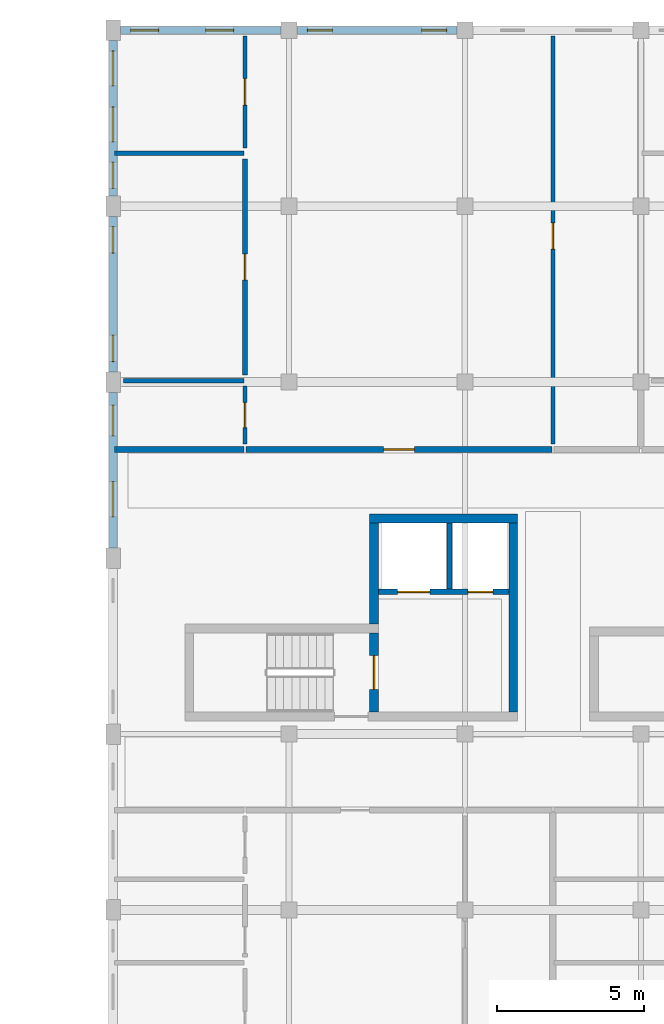
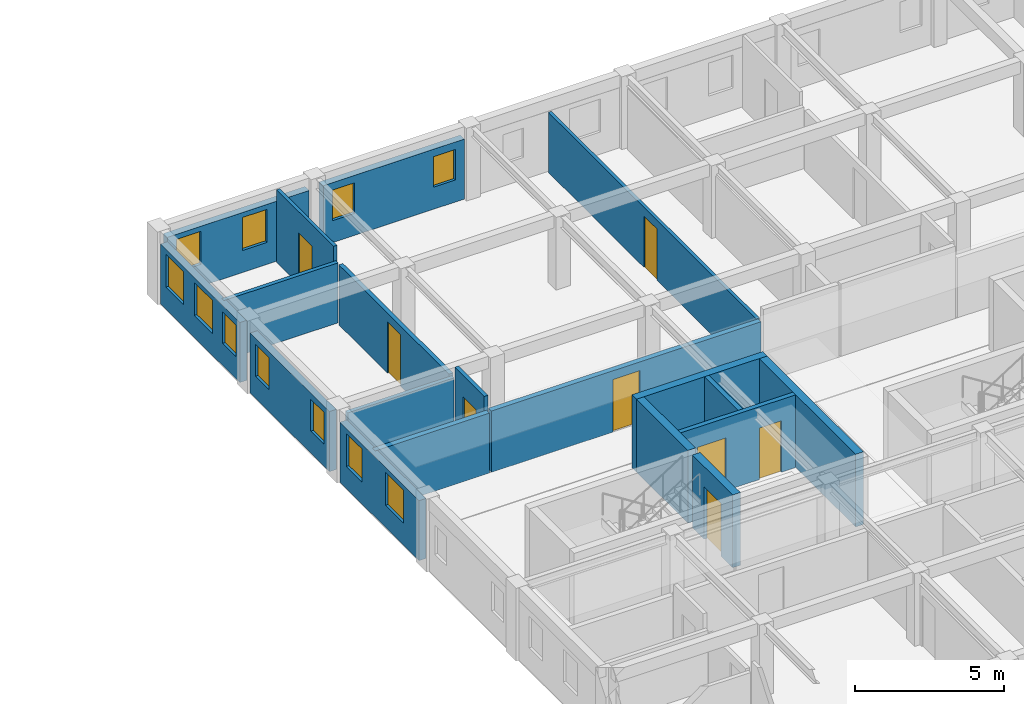
# One storey, part 35 of 58: 19 walls, 11 windows, 8 doors, 19 openings.
"""IFC4 building model written with IfcOpenShell, lengths in metres."""

from ifc_helpers import new_model, si_unit, direction, frame, frame_2d, origin, place, context, subcontext, project, spatial, rectangle, extrude, material, layer, layer_set, type_object, element, fill, save


model = new_model("IFC4")

# Units and contexts
model_context = context("Model", 3, precision=1e-05, world=origin(), true_north=direction((0.0, 1.0)))
body_context = subcontext(model_context, "Body", "Model", "MODEL_VIEW")
ifc_project = project(units=[si_unit("LENGTHUNIT", "METRE"), si_unit("AREAUNIT", "SQUARE_METRE"), si_unit("VOLUMEUNIT", "CUBIC_METRE"), si_unit("PLANEANGLEUNIT", "RADIAN"), si_unit("MASSUNIT", "GRAM", prefix="KILO"), si_unit("POWERUNIT", "WATT"), si_unit("THERMODYNAMICTEMPERATUREUNIT", "KELVIN")], contexts=[model_context])

# Site, building, storey
site_placement = place(None, origin())
site = spatial("IfcSite", under=ifc_project, at=site_placement, CompositionType="ELEMENT")
building_placement = place(site_placement, origin())
building = spatial("IfcBuilding", under=site, at=building_placement, Name="Ruvembo Vaulted Housing Court", CompositionType="ELEMENT")
storey_placement = place(building_placement, frame((0.0, 0.0, 20.5)))
storey = spatial("IfcBuildingStorey", under=building, at=storey_placement, Name="L06", CompositionType="ELEMENT", Elevation=20.5)

# Wall, opening, door
ifc_material_1 = material(Name="Concrete C35/45", Category="concrete")
ifc_layer_1 = layer(ifc_material_1, 0.300048828125, Name="Concrete C35/45")
ifc_layer_set_1 = layer_set([ifc_layer_1], Name="Concrete C35/45")
wall_type_1 = type_object("IfcWallType", Name="WL-CORE-300", PredefinedType="SHEAR", material=ifc_layer_set_1)
wall_1_placement = place(storey_placement, frame((56.89990234375, 90.75, 0.0), z_axis=(0.0, 0.0, 1.0), x_axis=(0.0, 1.0, 0.0)))
wall_1 = element("IfcWall", 1, at=wall_1_placement, inside=storey, type_object=wall_type_1, Name="Core B1 L06 Stair-Lobby Shear Wall", PredefinedType="SHEAR", context=body_context, shape_type="SweptSolid", body=[
    extrude(rectangle(XDim=2.699951171875, YDim=0.300048828125, at=frame_2d((1.35009765625, 0.0))), origin(), (0.0, 0.0, 1.0), 2.969970703125),
])
opening_1_placement = place(wall_1_placement, frame((0.77490234375, 0.0, 0.0)))
opening_1 = element("IfcOpeningElement", 2, at=opening_1_placement, cuts=wall_1, Name="Opening SD1", PredefinedType="OPENING", context=body_context, shape_type="SweptSolid", body=[
    extrude(rectangle(XDim=1.14990234375, YDim=2.14990234375, at=frame_2d((0.574951171875, 1.074951171875))), frame((0.0, 0.159912109375, 0.0), z_axis=(0.0, -1.0, 0.0), x_axis=(1.0, 0.0, 0.0)), (0.0, 0.0, 1.0), 0.320068359375),
])
ifc_material_2 = material(Name="Galvanised Painted Steel", Category="steel")
door_type_1 = type_object("IfcDoorType", Name="DR-STAIR-1150x2150", OperationType="NOTDEFINED", PredefinedType="DOOR", material=ifc_material_2)
door_1_placement = place(opening_1_placement, origin())
door_1 = element("IfcDoor", 3, at=door_1_placement, inside=storey, type_object=door_type_1, Name="Stair ST-B1 L06 Fire Door", OperationType="SINGLE_SWING_LEFT", OverallHeight=2.14990234375, OverallWidth=1.14990234375, PredefinedType="DOOR", context=body_context, shape_type="SweptSolid", body=[
    extrude(rectangle(XDim=1.14990234375, YDim=2.14990234375, at=frame_2d((0.574951171875, 1.074951171875))), frame((0.0, 0.02490234375, 0.0), z_axis=(0.0, -1.0, 0.0), x_axis=(1.0, 0.0, 0.0)), (0.0, 0.0, 1.0), 0.050048828125),
])
fill(opening_1, door_1)

# Walls
wall_2_placement = place(storey_placement, frame((61.800048828125, 97.35009765625, 0.0), z_axis=(0.0, 0.0, 1.0), x_axis=(-1.0, 0.0, 0.0)))
element("IfcWall", 4, at=wall_2_placement, inside=storey, type_object=wall_type_1, Name="Core B1 L06 North Shear Wall", PredefinedType="SHEAR", context=body_context, shape_type="SweptSolid", body=[
    extrude(rectangle(XDim=5.050048828125, YDim=0.300048828125, at=frame_2d((2.52490234375, 0.0))), origin(), (0.0, 0.0, 1.0), 2.969970703125),
])
wall_3_placement = place(storey_placement, frame((61.64990234375, 90.75, 0.0), z_axis=(0.0, 0.0, 1.0), x_axis=(0.0, 1.0, 0.0)))
element("IfcWall", 5, at=wall_3_placement, inside=storey, type_object=wall_type_1, Name="Core B1 L06 East Shear Wall", PredefinedType="SHEAR", context=body_context, shape_type="SweptSolid", body=[
    extrude(rectangle(XDim=6.449951171875, YDim=0.300048828125, at=frame_2d((3.22509765625, 0.0))), origin(), (0.0, 0.0, 1.0), 2.969970703125),
])
wall_4_placement = place(storey_placement, frame((56.89990234375, 93.75, 0.0), z_axis=(0.0, 0.0, 1.0), x_axis=(0.0, 1.0, 0.0)))
element("IfcWall", 6, at=wall_4_placement, inside=storey, type_object=wall_type_1, Name="Core B1 L06 Upper West Shear Wall", PredefinedType="SHEAR", context=body_context, shape_type="SweptSolid", body=[
    extrude(rectangle(XDim=3.449951171875, YDim=0.300048828125, at=frame_2d((1.72509765625, 0.0))), origin(), (0.0, 0.0, 1.0), 2.969970703125),
])
ifc_material_3 = material(Name="Concrete Blockwork 200", Category="masonry")
ifc_layer_2 = layer(ifc_material_3, 0.199951171875, Name="Concrete Blockwork 200")
ifc_layer_set_2 = layer_set([ifc_layer_2], Name="Concrete Blockwork 200")
wall_type_2 = type_object("IfcWallType", Name="WL-CORR-200", PredefinedType="SOLIDWALL", material=ifc_layer_set_2)
wall_5_placement = place(storey_placement, frame((48.0400390625, 99.699951171875, 0.0), z_axis=(0.0, 0.0, 1.0), x_axis=(1.0, 0.0, 0.0)))
element("IfcWall", 7, at=wall_5_placement, inside=storey, type_object=wall_type_2, Name="L06 Flat B-L06-N1 Corridor Wall WL-INT-L06-01760", PredefinedType="SOLIDWALL", context=body_context, shape_type="SweptSolid", body=[
    extrude(rectangle(XDim=4.419921875, YDim=0.199951171875, at=frame_2d((2.2099609375, 0.0))), origin(), (0.0, 0.0, 1.0), 2.451904296875),
])

# Wall, opening, door
wall_6_placement = place(storey_placement, frame((52.5400390625, 99.699951171875, 0.0), z_axis=(0.0, 0.0, 1.0), x_axis=(1.0, 0.0, 0.0)))
wall_6 = element("IfcWall", 8, at=wall_6_placement, inside=storey, type_object=wall_type_2, Name="L06 Flat B-L06-N1 Entrance WL-INT-L06-01761", PredefinedType="SOLIDWALL", context=body_context, shape_type="SweptSolid", body=[
    extrude(rectangle(XDim=10.419921875, YDim=0.199951171875, at=frame_2d((5.2099609375, 0.0))), origin(), (0.0, 0.0, 1.0), 2.508056640625),
])
opening_2_placement = place(wall_6_placement, frame((4.68505859375, 0.0, 0.0)))
opening_2 = element("IfcOpeningElement", 9, at=opening_2_placement, cuts=wall_6, Name="Opening FD3", PredefinedType="OPENING", context=body_context, shape_type="SweptSolid", body=[
    extrude(rectangle(XDim=1.050048828125, YDim=2.14990234375, at=frame_2d((0.52490234375, 1.074951171875))), frame((0.0, 0.10986328125, 0.0), z_axis=(0.0, -1.0, 0.0), x_axis=(1.0, 0.0, 0.0)), (0.0, 0.0, 1.0), 0.219970703125),
])
ifc_material_4 = material(Name="FSC Hardwood and Engineered Timber", Category="wood")
door_type_2 = type_object("IfcDoorType", Name="DR-FLAT-1050x2150", OperationType="NOTDEFINED", PredefinedType="DOOR", material=ifc_material_4)
door_2_placement = place(opening_2_placement, origin())
door_2 = element("IfcDoor", 10, at=door_2_placement, inside=storey, type_object=door_type_2, Name="L06 Flat B-L06-N1 Entrance Door DR-INT-L06-00995", OperationType="SINGLE_SWING_LEFT", OverallHeight=2.14990234375, OverallWidth=1.050048828125, PredefinedType="DOOR", context=body_context, shape_type="SweptSolid", body=[
    extrude(rectangle(XDim=1.050048828125, YDim=2.14990234375, at=frame_2d((0.52490234375, 1.074951171875))), frame((0.0, 0.02490234375, 0.0), z_axis=(0.0, -1.0, 0.0), x_axis=(1.0, 0.0, 0.0)), (0.0, 0.0, 1.0), 0.050048828125),
])
fill(opening_2, door_2)

# Wall, openings, windows
ifc_material_5 = material(Name="Rendered Masonry 270", Category="masonry")
ifc_layer_3 = layer(ifc_material_5, 0.27001953125, Name="Rendered Masonry 270")
ifc_layer_set_3 = layer_set([ifc_layer_3], Name="Rendered Masonry 270")
wall_type_3 = type_object("IfcWallType", Name="WL-EXT-270", PredefinedType="STANDARD", material=ifc_layer_set_3)
wall_7_placement = place(storey_placement, frame((59.72509765625, 114.0, 0.0), z_axis=(0.0, 0.0, 1.0), x_axis=(-1.0, 0.0, 0.0)))
wall_7 = element("IfcWall", 11, at=wall_7_placement, inside=storey, type_object=wall_type_3, Name="Block B L06 Exterior Wall STREET #5", PredefinedType="STANDARD", context=body_context, shape_type="SweptSolid", body=[
    extrude(rectangle(XDim=5.4501953125, YDim=0.27001953125, at=frame_2d((2.72509765625, 0.0))), origin(), (0.0, 0.0, 1.0), 2.451904296875),
])
opening_3_placement = place(wall_7_placement, frame((0.35009765625, 0.0, 0.89990234375)))
opening_3 = element("IfcOpeningElement", 12, at=opening_3_placement, cuts=wall_7, Name="Opening W03", PredefinedType="OPENING", context=body_context, shape_type="SweptSolid", body=[
    extrude(rectangle(XDim=0.85009765625, YDim=1.25, at=frame_2d((0.425048828125, 0.625))), frame((0.0, 0.14501953125, 0.0), z_axis=(0.0, -1.0, 0.0), x_axis=(1.0, 0.0, 0.0)), (0.0, 0.0, 1.0), 0.2900390625),
])
opening_4_placement = place(wall_7_placement, frame((4.25, 0.0, 0.89990234375)))
opening_4 = element("IfcOpeningElement", 13, at=opening_4_placement, cuts=wall_7, Name="Opening W03", PredefinedType="OPENING", context=body_context, shape_type="SweptSolid", body=[
    extrude(rectangle(XDim=0.85009765625, YDim=1.25, at=frame_2d((0.425048828125, 0.625))), frame((0.0, 0.14501953125, 0.0), z_axis=(0.0, -1.0, 0.0), x_axis=(1.0, 0.0, 0.0)), (0.0, 0.0, 1.0), 0.2900390625),
])
ifc_material_6 = material(Name="Double Solar-Control Glazing in Aluminium Frame", Category="aluminium")
window_type_1 = type_object("IfcWindowType", Name="WIN-0850x1250", PartitioningType="SINGLE_PANEL", PredefinedType="WINDOW", material=ifc_material_6)
window_1_placement = place(opening_3_placement, origin())
window_1 = element("IfcWindow", 14, at=window_1_placement, inside=storey, type_object=window_type_1, Name="Block B L06 Window #889", OverallHeight=1.25, OverallWidth=0.85009765625, PartitioningType="SINGLE_PANEL", PredefinedType="WINDOW", context=body_context, shape_type="SweptSolid", body=[
    extrude(rectangle(XDim=0.85009765625, YDim=1.25, at=frame_2d((0.425048828125, 0.625))), frame((0.0, 0.030029296875, 0.0), z_axis=(0.0, -1.0, 0.0), x_axis=(1.0, 0.0, 0.0)), (0.0, 0.0, 1.0), 0.06005859375),
])
fill(opening_3, window_1)
window_2_placement = place(opening_4_placement, origin())
window_2 = element("IfcWindow", 15, at=window_2_placement, inside=storey, type_object=window_type_1, Name="Block B L06 Window #890", OverallHeight=1.25, OverallWidth=0.85009765625, PartitioningType="SINGLE_PANEL", PredefinedType="WINDOW", context=body_context, shape_type="SweptSolid", body=[
    extrude(rectangle(XDim=0.85009765625, YDim=1.25, at=frame_2d((0.425048828125, 0.625))), frame((0.0, 0.030029296875, 0.0), z_axis=(0.0, -1.0, 0.0), x_axis=(1.0, 0.0, 0.0)), (0.0, 0.0, 1.0), 0.06005859375),
])
fill(opening_4, window_2)

wall_8_placement = place(storey_placement, frame((53.72509765625, 114.0, 0.0), z_axis=(0.0, 0.0, 1.0), x_axis=(-1.0, 0.0, 0.0)))
wall_8 = element("IfcWall", 16, at=wall_8_placement, inside=storey, type_object=wall_type_3, Name="Block B L06 Exterior Wall STREET #6", PredefinedType="STANDARD", context=body_context, shape_type="SweptSolid", body=[
    extrude(rectangle(XDim=5.47509765625, YDim=0.27001953125, at=frame_2d((2.737548828125, 0.0))), origin(), (0.0, 0.0, 1.0), 2.451904296875),
])
opening_5_placement = place(wall_8_placement, frame((1.614990234375, 0.0, 0.89990234375)))
opening_5 = element("IfcOpeningElement", 17, at=opening_5_placement, cuts=wall_8, Name="Opening W07", PredefinedType="OPENING", context=body_context, shape_type="SweptSolid", body=[
    extrude(rectangle(XDim=0.949951171875, YDim=1.35009765625, at=frame_2d((0.47509765625, 0.675048828125))), frame((0.0, 0.14501953125, 0.0), z_axis=(0.0, -1.0, 0.0), x_axis=(1.0, 0.0, 0.0)), (0.0, 0.0, 1.0), 0.2900390625),
])
opening_6_placement = place(wall_8_placement, frame((4.175048828125, 0.0, 0.89990234375)))
opening_6 = element("IfcOpeningElement", 18, at=opening_6_placement, cuts=wall_8, Name="Opening W07", PredefinedType="OPENING", context=body_context, shape_type="SweptSolid", body=[
    extrude(rectangle(XDim=0.949951171875, YDim=1.35009765625, at=frame_2d((0.47509765625, 0.675048828125))), frame((0.0, 0.14501953125, 0.0), z_axis=(0.0, -1.0, 0.0), x_axis=(1.0, 0.0, 0.0)), (0.0, 0.0, 1.0), 0.2900390625),
])
window_type_2 = type_object("IfcWindowType", Name="WIN-0950x1350", PartitioningType="SINGLE_PANEL", PredefinedType="WINDOW", material=ifc_material_6)
window_3_placement = place(opening_5_placement, origin())
window_3 = element("IfcWindow", 19, at=window_3_placement, inside=storey, type_object=window_type_2, Name="Block B L06 Window #891", OverallHeight=1.35009765625, OverallWidth=0.949951171875, PartitioningType="SINGLE_PANEL", PredefinedType="WINDOW", context=body_context, shape_type="SweptSolid", body=[
    extrude(rectangle(XDim=0.949951171875, YDim=1.35009765625, at=frame_2d((0.47509765625, 0.675048828125))), frame((0.0, 0.030029296875, 0.0), z_axis=(0.0, -1.0, 0.0), x_axis=(1.0, 0.0, 0.0)), (0.0, 0.0, 1.0), 0.06005859375),
])
fill(opening_5, window_3)
window_4_placement = place(opening_6_placement, origin())
window_4 = element("IfcWindow", 20, at=window_4_placement, inside=storey, type_object=window_type_2, Name="Block B L06 Window #892", OverallHeight=1.35009765625, OverallWidth=0.949951171875, PartitioningType="SINGLE_PANEL", PredefinedType="WINDOW", context=body_context, shape_type="SweptSolid", body=[
    extrude(rectangle(XDim=0.949951171875, YDim=1.35009765625, at=frame_2d((0.47509765625, 0.675048828125))), frame((0.0, 0.030029296875, 0.0), z_axis=(0.0, -1.0, 0.0), x_axis=(1.0, 0.0, 0.0)), (0.0, 0.0, 1.0), 0.06005859375),
])
fill(opening_6, window_4)

wall_9_placement = place(storey_placement, frame((48.0, 113.64990234375, 0.0), z_axis=(0.0, 0.0, 1.0), x_axis=(0.0, -1.0, 0.0)))
wall_9 = element("IfcWall", 21, at=wall_9_placement, inside=storey, type_object=wall_type_3, Name="Block B L06 Exterior Wall WEST #1", PredefinedType="STANDARD", context=body_context, shape_type="SweptSolid", body=[
    extrude(rectangle(XDim=5.2998046875, YDim=0.27001953125, at=frame_2d((2.64990234375, 0.0))), origin(), (0.0, 0.0, 1.0), 2.451904296875),
])
opening_7_placement = place(wall_9_placement, frame((0.35009765625, 0.0, 0.89990234375)))
opening_7 = element("IfcOpeningElement", 22, at=opening_7_placement, cuts=wall_9, Name="Opening W12", PredefinedType="OPENING", context=body_context, shape_type="SweptSolid", body=[
    extrude(rectangle(XDim=1.199951171875, YDim=1.35009765625, at=frame_2d((0.60009765625, 0.675048828125))), frame((0.0, 0.14501953125, 0.0), z_axis=(0.0, -1.0, 0.0), x_axis=(1.0, 0.0, 0.0)), (0.0, 0.0, 1.0), 0.2900390625),
])
opening_8_placement = place(wall_9_placement, frame((2.260009765625, 0.0, 0.89990234375)))
opening_8 = element("IfcOpeningElement", 23, at=opening_8_placement, cuts=wall_9, Name="Opening W12", PredefinedType="OPENING", context=body_context, shape_type="SweptSolid", body=[
    extrude(rectangle(XDim=1.199951171875, YDim=1.35009765625, at=frame_2d((0.60009765625, 0.675048828125))), frame((0.0, 0.14501953125, 0.0), z_axis=(0.0, -1.0, 0.0), x_axis=(1.0, 0.0, 0.0)), (0.0, 0.0, 1.0), 0.2900390625),
])
opening_9_placement = place(wall_9_placement, frame((4.14501953125, 0.0, 0.89990234375)))
opening_9 = element("IfcOpeningElement", 24, at=opening_9_placement, cuts=wall_9, Name="Opening W04", PredefinedType="OPENING", context=body_context, shape_type="SweptSolid", body=[
    extrude(rectangle(XDim=0.89990234375, YDim=1.300048828125, at=frame_2d((0.449951171875, 0.64990234375))), frame((0.0, 0.14501953125, 0.0), z_axis=(0.0, -1.0, 0.0), x_axis=(1.0, 0.0, 0.0)), (0.0, 0.0, 1.0), 0.2900390625),
])
window_type_3 = type_object("IfcWindowType", Name="WIN-0900x1300", PartitioningType="SINGLE_PANEL", PredefinedType="WINDOW", material=ifc_material_6)
window_5_placement = place(opening_9_placement, origin())
window_5 = element("IfcWindow", 25, at=window_5_placement, inside=storey, type_object=window_type_3, Name="Block B L06 Window #895", OverallHeight=1.300048828125, OverallWidth=0.89990234375, PartitioningType="SINGLE_PANEL", PredefinedType="WINDOW", context=body_context, shape_type="SweptSolid", body=[
    extrude(rectangle(XDim=0.89990234375, YDim=1.300048828125, at=frame_2d((0.449951171875, 0.64990234375))), frame((0.0, 0.030029296875, 0.0), z_axis=(0.0, -1.0, 0.0), x_axis=(1.0, 0.0, 0.0)), (0.0, 0.0, 1.0), 0.06005859375),
])
fill(opening_9, window_5)
window_type_4 = type_object("IfcWindowType", Name="WIN-1200x1350", PartitioningType="SINGLE_PANEL", PredefinedType="WINDOW", material=ifc_material_6)
window_6_placement = place(opening_7_placement, origin())
window_6 = element("IfcWindow", 26, at=window_6_placement, inside=storey, type_object=window_type_4, Name="Block B L06 Window #893", OverallHeight=1.35009765625, OverallWidth=1.199951171875, PartitioningType="SINGLE_PANEL", PredefinedType="WINDOW", context=body_context, shape_type="SweptSolid", body=[
    extrude(rectangle(XDim=1.199951171875, YDim=1.35009765625, at=frame_2d((0.60009765625, 0.675048828125))), frame((0.0, 0.030029296875, 0.0), z_axis=(0.0, -1.0, 0.0), x_axis=(1.0, 0.0, 0.0)), (0.0, 0.0, 1.0), 0.06005859375),
])
fill(opening_7, window_6)
window_7_placement = place(opening_8_placement, origin())
window_7 = element("IfcWindow", 27, at=window_7_placement, inside=storey, type_object=window_type_4, Name="Block B L06 Window #894", OverallHeight=1.35009765625, OverallWidth=1.199951171875, PartitioningType="SINGLE_PANEL", PredefinedType="WINDOW", context=body_context, shape_type="SweptSolid", body=[
    extrude(rectangle(XDim=1.199951171875, YDim=1.35009765625, at=frame_2d((0.60009765625, 0.675048828125))), frame((0.0, 0.030029296875, 0.0), z_axis=(0.0, -1.0, 0.0), x_axis=(1.0, 0.0, 0.0)), (0.0, 0.0, 1.0), 0.06005859375),
])
fill(opening_8, window_7)

wall_10_placement = place(storey_placement, frame((48.0, 107.64990234375, 0.0), z_axis=(0.0, 0.0, 1.0), x_axis=(0.0, -1.0, 0.0)))
wall_10 = element("IfcWall", 28, at=wall_10_placement, inside=storey, type_object=wall_type_3, Name="Block B L06 Exterior Wall WEST #2", PredefinedType="STANDARD", context=body_context, shape_type="SweptSolid", body=[
    extrude(rectangle(XDim=5.2998046875, YDim=0.27001953125, at=frame_2d((2.64990234375, 0.0))), origin(), (0.0, 0.0, 1.0), 2.451904296875),
])
opening_10_placement = place(wall_10_placement, frame((0.35009765625, 0.0, 0.89990234375)))
opening_10 = element("IfcOpeningElement", 29, at=opening_10_placement, cuts=wall_10, Name="Opening W04", PredefinedType="OPENING", context=body_context, shape_type="SweptSolid", body=[
    extrude(rectangle(XDim=0.89990234375, YDim=1.300048828125, at=frame_2d((0.449951171875, 0.64990234375))), frame((0.0, 0.14501953125, 0.0), z_axis=(0.0, -1.0, 0.0), x_axis=(1.0, 0.0, 0.0)), (0.0, 0.0, 1.0), 0.2900390625),
])
opening_11_placement = place(wall_10_placement, frame((4.050048828125, 0.0, 0.89990234375)))
opening_11 = element("IfcOpeningElement", 30, at=opening_11_placement, cuts=wall_10, Name="Opening W04", PredefinedType="OPENING", context=body_context, shape_type="SweptSolid", body=[
    extrude(rectangle(XDim=0.89990234375, YDim=1.300048828125, at=frame_2d((0.449951171875, 0.64990234375))), frame((0.0, 0.14501953125, 0.0), z_axis=(0.0, -1.0, 0.0), x_axis=(1.0, 0.0, 0.0)), (0.0, 0.0, 1.0), 0.2900390625),
])
window_8_placement = place(opening_10_placement, origin())
window_8 = element("IfcWindow", 31, at=window_8_placement, inside=storey, type_object=window_type_3, Name="Block B L06 Window #896", OverallHeight=1.300048828125, OverallWidth=0.89990234375, PartitioningType="SINGLE_PANEL", PredefinedType="WINDOW", context=body_context, shape_type="SweptSolid", body=[
    extrude(rectangle(XDim=0.89990234375, YDim=1.300048828125, at=frame_2d((0.449951171875, 0.64990234375))), frame((0.0, 0.030029296875, 0.0), z_axis=(0.0, -1.0, 0.0), x_axis=(1.0, 0.0, 0.0)), (0.0, 0.0, 1.0), 0.06005859375),
])
fill(opening_10, window_8)
window_9_placement = place(opening_11_placement, origin())
window_9 = element("IfcWindow", 32, at=window_9_placement, inside=storey, type_object=window_type_3, Name="Block B L06 Window #897", OverallHeight=1.300048828125, OverallWidth=0.89990234375, PartitioningType="SINGLE_PANEL", PredefinedType="WINDOW", context=body_context, shape_type="SweptSolid", body=[
    extrude(rectangle(XDim=0.89990234375, YDim=1.300048828125, at=frame_2d((0.449951171875, 0.64990234375))), frame((0.0, 0.030029296875, 0.0), z_axis=(0.0, -1.0, 0.0), x_axis=(1.0, 0.0, 0.0)), (0.0, 0.0, 1.0), 0.06005859375),
])
fill(opening_11, window_9)

wall_11_placement = place(storey_placement, frame((48.0, 101.64990234375, 0.0), z_axis=(0.0, 0.0, 1.0), x_axis=(0.0, -1.0, 0.0)))
wall_11 = element("IfcWall", 33, at=wall_11_placement, inside=storey, type_object=wall_type_3, Name="Block B L06 Exterior Wall WEST #3", PredefinedType="STANDARD", context=body_context, shape_type="SweptSolid", body=[
    extrude(rectangle(XDim=5.2998046875, YDim=0.27001953125, at=frame_2d((2.64990234375, 0.0))), origin(), (0.0, 0.0, 1.0), 2.451904296875),
])
opening_12_placement = place(wall_11_placement, frame((0.429931640625, 0.0, 0.89990234375)))
opening_12 = element("IfcOpeningElement", 34, at=opening_12_placement, cuts=wall_11, Name="Opening W09", PredefinedType="OPENING", context=body_context, shape_type="SweptSolid", body=[
    extrude(rectangle(XDim=1.050048828125, YDim=1.35009765625, at=frame_2d((0.52490234375, 0.675048828125))), frame((0.0, 0.14501953125, 0.0), z_axis=(0.0, -1.0, 0.0), x_axis=(1.0, 0.0, 0.0)), (0.0, 0.0, 1.0), 0.2900390625),
])
opening_13_placement = place(wall_11_placement, frame((3.044921875, 0.0, 0.89990234375)))
opening_13 = element("IfcOpeningElement", 35, at=opening_13_placement, cuts=wall_11, Name="Opening W12", PredefinedType="OPENING", context=body_context, shape_type="SweptSolid", body=[
    extrude(rectangle(XDim=1.199951171875, YDim=1.35009765625, at=frame_2d((0.60009765625, 0.675048828125))), frame((0.0, 0.14501953125, 0.0), z_axis=(0.0, -1.0, 0.0), x_axis=(1.0, 0.0, 0.0)), (0.0, 0.0, 1.0), 0.2900390625),
])
window_type_5 = type_object("IfcWindowType", Name="WIN-1050x1350", PartitioningType="SINGLE_PANEL", PredefinedType="WINDOW", material=ifc_material_6)
window_10_placement = place(opening_12_placement, origin())
window_10 = element("IfcWindow", 36, at=window_10_placement, inside=storey, type_object=window_type_5, Name="Block B L06 Window #898", OverallHeight=1.35009765625, OverallWidth=1.050048828125, PartitioningType="SINGLE_PANEL", PredefinedType="WINDOW", context=body_context, shape_type="SweptSolid", body=[
    extrude(rectangle(XDim=1.050048828125, YDim=1.35009765625, at=frame_2d((0.52490234375, 0.675048828125))), frame((0.0, 0.030029296875, 0.0), z_axis=(0.0, -1.0, 0.0), x_axis=(1.0, 0.0, 0.0)), (0.0, 0.0, 1.0), 0.06005859375),
])
fill(opening_12, window_10)
window_11_placement = place(opening_13_placement, origin())
window_11 = element("IfcWindow", 37, at=window_11_placement, inside=storey, type_object=window_type_4, Name="Block B L06 Window #899", OverallHeight=1.35009765625, OverallWidth=1.199951171875, PartitioningType="SINGLE_PANEL", PredefinedType="WINDOW", context=body_context, shape_type="SweptSolid", body=[
    extrude(rectangle(XDim=1.199951171875, YDim=1.35009765625, at=frame_2d((0.60009765625, 0.675048828125))), frame((0.0, 0.030029296875, 0.0), z_axis=(0.0, -1.0, 0.0), x_axis=(1.0, 0.0, 0.0)), (0.0, 0.0, 1.0), 0.06005859375),
])
fill(opening_13, window_11)

# Wall, opening, door
ifc_material_7 = material(Name="Plasterboard Stud Partition 125", Category="gypsum")
ifc_layer_4 = layer(ifc_material_7, 0.125, Name="Plasterboard Stud Partition 125")
ifc_layer_set_4 = layer_set([ifc_layer_4], Name="Plasterboard Stud Partition 125")
wall_type_4 = type_object("IfcWallType", Name="WL-PART-125", PredefinedType="PARTITIONING", material=ifc_layer_set_4)
wall_12_placement = place(storey_placement, frame((52.5, 109.989990234375, 0.0), z_axis=(0.0, 0.0, 1.0), x_axis=(0.0, 1.0, 0.0)))
wall_12 = element("IfcWall", 38, at=wall_12_placement, inside=storey, type_object=wall_type_4, Name="L06 Flat B-L06-N1 Bedroom 1 WL-INT-L06-01762", PredefinedType="PARTITIONING", context=body_context, shape_type="SweptSolid", body=[
    extrude(rectangle(XDim=3.820068359375, YDim=0.125, at=frame_2d((1.91015625, 0.0))), origin(), (0.0, 0.0, 1.0), 2.969970703125),
])
opening_14_placement = place(wall_12_placement, frame((1.4599609375, 0.0, 0.0)))
opening_14 = element("IfcOpeningElement", 39, at=opening_14_placement, cuts=wall_12, Name="Opening ID1", PredefinedType="OPENING", context=body_context, shape_type="SweptSolid", body=[
    extrude(rectangle(XDim=0.89990234375, YDim=2.10009765625, at=frame_2d((0.449951171875, 1.050048828125))), frame((0.0, 0.072509765625, 0.0), z_axis=(0.0, -1.0, 0.0), x_axis=(1.0, 0.0, 0.0)), (0.0, 0.0, 1.0), 0.14501953125),
])
door_type_3 = type_object("IfcDoorType", Name="DR-ROOM-0900x2100", OperationType="NOTDEFINED", PredefinedType="DOOR", material=ifc_material_4)
door_3_placement = place(opening_14_placement, origin())
door_3 = element("IfcDoor", 40, at=door_3_placement, inside=storey, type_object=door_type_3, Name="L06 Flat B-L06-N1 Bedroom 1 Door DR-INT-L06-00996", OperationType="SINGLE_SWING_RIGHT", OverallHeight=2.10009765625, OverallWidth=0.89990234375, PredefinedType="DOOR", context=body_context, shape_type="SweptSolid", body=[
    extrude(rectangle(XDim=0.89990234375, YDim=2.10009765625, at=frame_2d((0.449951171875, 1.050048828125))), frame((0.0, 0.02490234375, 0.0), z_axis=(0.0, -1.0, 0.0), x_axis=(1.0, 0.0, 0.0)), (0.0, 0.0, 1.0), 0.050048828125),
])
fill(opening_14, door_3)

wall_13_placement = place(storey_placement, frame((63.0, 99.889892578125, 0.0), z_axis=(0.0, 0.0, 1.0), x_axis=(0.0, 1.0, 0.0)))
wall_13 = element("IfcWall", 41, at=wall_13_placement, inside=storey, type_object=wall_type_4, Name="L06 Flat B-L06-N1 Bedroom 2 WL-INT-L06-01768", PredefinedType="PARTITIONING", context=body_context, shape_type="SweptSolid", body=[
    extrude(rectangle(XDim=13.920166015625, YDim=0.125, at=frame_2d((6.9599609375, 0.0))), origin(), (0.0, 0.0, 1.0), 2.451904296875),
])
opening_15_placement = place(wall_13_placement, frame((6.64990234375, 0.0, 0.0)))
opening_15 = element("IfcOpeningElement", 42, at=opening_15_placement, cuts=wall_13, Name="Opening ID3", PredefinedType="OPENING", context=body_context, shape_type="SweptSolid", body=[
    extrude(rectangle(XDim=0.8798828125, YDim=2.10009765625, at=frame_2d((0.43994140625, 1.050048828125))), frame((0.0, 0.072509765625, 0.0), z_axis=(0.0, -1.0, 0.0), x_axis=(1.0, 0.0, 0.0)), (0.0, 0.0, 1.0), 0.14501953125),
])
door_type_4 = type_object("IfcDoorType", Name="DR-ROOM-0880x2100", OperationType="NOTDEFINED", PredefinedType="DOOR", material=ifc_material_4)
door_4_placement = place(opening_15_placement, origin())
door_4 = element("IfcDoor", 43, at=door_4_placement, inside=storey, type_object=door_type_4, Name="L06 Flat B-L06-N1 Bedroom 2 Door DR-INT-L06-00999", OperationType="SINGLE_SWING_LEFT", OverallHeight=2.10009765625, OverallWidth=0.8798828125, PredefinedType="DOOR", context=body_context, shape_type="SweptSolid", body=[
    extrude(rectangle(XDim=0.8798828125, YDim=2.10009765625, at=frame_2d((0.43994140625, 1.050048828125))), frame((0.0, 0.02490234375, 0.0), z_axis=(0.0, -1.0, 0.0), x_axis=(1.0, 0.0, 0.0)), (0.0, 0.0, 1.0), 0.050048828125),
])
fill(opening_15, door_4)

ifc_material_8 = material(Name="Moisture-Resistant Wet Partition 150", Category="gypsum")
ifc_layer_5 = layer(ifc_material_8, 0.14990234375, Name="Moisture-Resistant Wet Partition 150")
ifc_layer_set_5 = layer_set([ifc_layer_5], Name="Moisture-Resistant Wet Partition 150")
wall_type_5 = type_object("IfcWallType", Name="WL-PART-150", PredefinedType="PARTITIONING", material=ifc_layer_set_5)
wall_14_placement = place(storey_placement, frame((52.5, 99.889892578125, 0.0), z_axis=(0.0, 0.0, 1.0), x_axis=(0.0, 1.0, 0.0)))
wall_14 = element("IfcWall", 44, at=wall_14_placement, inside=storey, type_object=wall_type_5, Name="L06 Flat B-L06-N1 Bathroom WL-INT-L06-01764", PredefinedType="PARTITIONING", context=body_context, shape_type="SweptSolid", body=[
    extrude(rectangle(XDim=1.97021484375, YDim=0.14990234375, at=frame_2d((0.985107421875, 0.0))), origin(), (0.0, 0.0, 1.0), 2.969970703125),
])
opening_16_placement = place(wall_14_placement, frame((0.56005859375, 0.0, 0.0)))
opening_16 = element("IfcOpeningElement", 45, at=opening_16_placement, cuts=wall_14, Name="Opening ID2", PredefinedType="OPENING", context=body_context, shape_type="SweptSolid", body=[
    extrude(rectangle(XDim=0.85009765625, YDim=2.10009765625, at=frame_2d((0.425048828125, 1.050048828125))), frame((0.0, 0.0849609375, 0.0), z_axis=(0.0, -1.0, 0.0), x_axis=(1.0, 0.0, 0.0)), (0.0, 0.0, 1.0), 0.169921875),
])
door_type_5 = type_object("IfcDoorType", Name="DR-WET-0850x2100", OperationType="NOTDEFINED", PredefinedType="DOOR", material=ifc_material_4)
door_5_placement = place(opening_16_placement, origin())
door_5 = element("IfcDoor", 46, at=door_5_placement, inside=storey, type_object=door_type_5, Name="L06 Flat B-L06-N1 Bathroom Door DR-INT-L06-00998", OperationType="SINGLE_SWING_RIGHT", OverallHeight=2.10009765625, OverallWidth=0.85009765625, PredefinedType="DOOR", context=body_context, shape_type="SweptSolid", body=[
    extrude(rectangle(XDim=0.85009765625, YDim=2.10009765625, at=frame_2d((0.425048828125, 1.050048828125))), frame((0.0, 0.02490234375, 0.0), z_axis=(0.0, -1.0, 0.0), x_axis=(1.0, 0.0, 0.0)), (0.0, 0.0, 1.0), 0.050048828125),
])
fill(opening_16, door_5)

# Walls
wall_15_placement = place(storey_placement, frame((48.0400390625, 109.800048828125, 0.0), z_axis=(0.0, 0.0, 1.0), x_axis=(1.0, 0.0, 0.0)))
element("IfcWall", 47, at=wall_15_placement, inside=storey, type_object=wall_type_5, Name="L06 Flat B-L06-N1 Wet Wall 1 WL-INT-L06-01765", PredefinedType="PARTITIONING", context=body_context, shape_type="SweptSolid", body=[
    extrude(rectangle(XDim=4.419921875, YDim=0.14990234375, at=frame_2d((2.2099609375, 0.0))), origin(), (0.0, 0.0, 1.0), 2.451904296875),
])
wall_16_placement = place(storey_placement, frame((48.360107421875, 102.050048828125, 0.0), z_axis=(0.0, 0.0, 1.0), x_axis=(1.0, 0.0, 0.0)))
element("IfcWall", 48, at=wall_16_placement, inside=storey, type_object=wall_type_5, Name="L06 Flat B-L06-N1 Wet Wall 2 WL-INT-L06-01766", PredefinedType="PARTITIONING", context=body_context, shape_type="SweptSolid", body=[
    extrude(rectangle(XDim=4.099853515625, YDim=0.14990234375, at=frame_2d((2.0498046875, 0.0))), origin(), (0.0, 0.0, 1.0), 2.451904296875),
])

# Wall, opening, door
ifc_material_9 = material(Name="Acoustic Service Chase Wall 160", Category="gypsum")
ifc_layer_6 = layer(ifc_material_9, 0.159912109375, Name="Acoustic Service Chase Wall 160")
ifc_layer_set_6 = layer_set([ifc_layer_6], Name="Acoustic Service Chase Wall 160")
wall_type_6 = type_object("IfcWallType", Name="WL-PLUMB-160", PredefinedType="PLUMBINGWALL", material=ifc_layer_set_6)
wall_17_placement = place(storey_placement, frame((52.5, 102.239990234375, 0.0), z_axis=(0.0, 0.0, 1.0), x_axis=(0.0, 1.0, 0.0)))
wall_17 = element("IfcWall", 49, at=wall_17_placement, inside=storey, type_object=wall_type_6, Name="L06 Flat B-L06-N1 Kitchen WL-INT-L06-01763", PredefinedType="PLUMBINGWALL", context=body_context, shape_type="SweptSolid", body=[
    extrude(rectangle(XDim=7.3701171875, YDim=0.159912109375, at=frame_2d((3.68505859375, 0.0))), origin(), (0.0, 0.0, 1.0), 2.451904296875),
])
opening_17_placement = place(wall_17_placement, frame((3.2451171875, 0.0, 0.0)))
opening_17 = element("IfcOpeningElement", 50, at=opening_17_placement, cuts=wall_17, Name="Opening ID3", PredefinedType="OPENING", context=body_context, shape_type="SweptSolid", body=[
    extrude(rectangle(XDim=0.8798828125, YDim=2.10009765625, at=frame_2d((0.43994140625, 1.050048828125))), frame((0.0, 0.08984375, 0.0), z_axis=(0.0, -1.0, 0.0), x_axis=(1.0, 0.0, 0.0)), (0.0, 0.0, 1.0), 0.179931640625),
])
door_6_placement = place(opening_17_placement, origin())
door_6 = element("IfcDoor", 51, at=door_6_placement, inside=storey, type_object=door_type_4, Name="L06 Flat B-L06-N1 Kitchen Door DR-INT-L06-00997", OperationType="SINGLE_SWING_LEFT", OverallHeight=2.10009765625, OverallWidth=0.8798828125, PredefinedType="DOOR", context=body_context, shape_type="SweptSolid", body=[
    extrude(rectangle(XDim=0.8798828125, YDim=2.10009765625, at=frame_2d((0.43994140625, 1.050048828125))), frame((0.0, 0.02490234375, 0.0), z_axis=(0.0, -1.0, 0.0), x_axis=(1.0, 0.0, 0.0)), (0.0, 0.0, 1.0), 0.050048828125),
])
fill(opening_17, door_6)

# Wall, openings, doors
ifc_material_10 = material(Name="Fire-Rated Masonry Shaft 180", Category="masonry")
ifc_layer_7 = layer(ifc_material_10, 0.179931640625, Name="Fire-Rated Masonry Shaft 180")
ifc_layer_set_7 = layer_set([ifc_layer_7], Name="Fire-Rated Masonry Shaft 180")
wall_type_7 = type_object("IfcWallType", Name="WL-SHAFT-180", PredefinedType="SOLIDWALL", material=ifc_layer_set_7)
wall_18_placement = place(storey_placement, frame((57.050048828125, 94.85009765625, 0.0), z_axis=(0.0, 0.0, 1.0), x_axis=(1.0, 0.0, 0.0)))
wall_18 = element("IfcWall", 52, at=wall_18_placement, inside=storey, type_object=wall_type_7, Name="Core B1 L06 Lift and Riser Front Wall", PredefinedType="SOLIDWALL", context=body_context, shape_type="SweptSolid", body=[
    extrude(rectangle(XDim=4.449951171875, YDim=0.179931640625, at=frame_2d((2.22509765625, 0.0))), origin(), (0.0, 0.0, 1.0), 2.969970703125),
])
opening_18_placement = place(wall_18_placement, frame((0.64990234375, 0.0, 0.0)))
opening_18 = element("IfcOpeningElement", 53, at=opening_18_placement, cuts=wall_18, Name="Opening LD-LP-B1-L06", PredefinedType="OPENING", context=body_context, shape_type="SweptSolid", body=[
    extrude(rectangle(XDim=1.10009765625, YDim=2.14990234375, at=frame_2d((0.550048828125, 1.074951171875))), frame((0.0, 0.099853515625, 0.0), z_axis=(0.0, -1.0, 0.0), x_axis=(1.0, 0.0, 0.0)), (0.0, 0.0, 1.0), 0.199951171875),
])
opening_19_placement = place(wall_18_placement, frame((3.050048828125, 0.0, 0.0)))
opening_19 = element("IfcOpeningElement", 54, at=opening_19_placement, cuts=wall_18, Name="Opening RD1", PredefinedType="OPENING", context=body_context, shape_type="SweptSolid", body=[
    extrude(rectangle(XDim=0.85009765625, YDim=2.10009765625, at=frame_2d((0.425048828125, 1.050048828125))), frame((0.0, 0.099853515625, 0.0), z_axis=(0.0, -1.0, 0.0), x_axis=(1.0, 0.0, 0.0)), (0.0, 0.0, 1.0), 0.199951171875),
])
ifc_material_11 = material(Name="Brushed Stainless Steel 304", Category="steel")
door_type_6 = type_object("IfcDoorType", Name="DR-LIFT-1100x2150", OperationType="NOTDEFINED", PredefinedType="DOOR", material=ifc_material_11)
door_7_placement = place(opening_18_placement, origin())
door_7 = element("IfcDoor", 55, at=door_7_placement, inside=storey, type_object=door_type_6, Name="Lift LP-B1 L06 Sliding Landing Door", OperationType="SLIDING_TO_LEFT", OverallHeight=2.14990234375, OverallWidth=1.10009765625, PredefinedType="DOOR", context=body_context, shape_type="SweptSolid", body=[
    extrude(rectangle(XDim=1.10009765625, YDim=2.14990234375, at=frame_2d((0.550048828125, 1.074951171875))), frame((0.0, 0.02490234375, 0.0), z_axis=(0.0, -1.0, 0.0), x_axis=(1.0, 0.0, 0.0)), (0.0, 0.0, 1.0), 0.050048828125),
])
fill(opening_18, door_7)
door_type_7 = type_object("IfcDoorType", Name="DR-RISER-0850x2100", OperationType="NOTDEFINED", PredefinedType="DOOR", material=ifc_material_2)
door_8_placement = place(opening_19_placement, frame((0.85009765625, 0.0, 0.0), z_axis=(0.0, 0.0, 1.0), x_axis=(-1.0, 0.0, 0.0)))
door_8 = element("IfcDoor", 56, at=door_8_placement, inside=storey, type_object=door_type_7, Name="Core B1 L06 Service Riser Door", OperationType="SINGLE_SWING_RIGHT", OverallHeight=2.10009765625, OverallWidth=0.85009765625, PredefinedType="DOOR", context=body_context, shape_type="SweptSolid", body=[
    extrude(rectangle(XDim=0.85009765625, YDim=2.10009765625, at=frame_2d((0.425048828125, 1.050048828125))), frame((0.0, 0.02490234375, 0.0), z_axis=(0.0, -1.0, 0.0), x_axis=(1.0, 0.0, 0.0)), (0.0, 0.0, 1.0), 0.050048828125),
])
fill(opening_19, door_8)

# Wall
wall_19_placement = place(storey_placement, frame((59.469970703125, 94.93994140625, 0.0), z_axis=(0.0, 0.0, 1.0), x_axis=(0.0, 1.0, 0.0)))
element("IfcWall", 57, at=wall_19_placement, inside=storey, type_object=wall_type_7, Name="Core B1 L06 Shaft-Riser Divider Wall", PredefinedType="SOLIDWALL", context=body_context, shape_type="SweptSolid", body=[
    extrude(rectangle(XDim=2.260009765625, YDim=0.179931640625, at=frame_2d((1.1298828125, 0.0))), origin(), (0.0, 0.0, 1.0), 2.969970703125),
])

save(model, "model.ifc")
